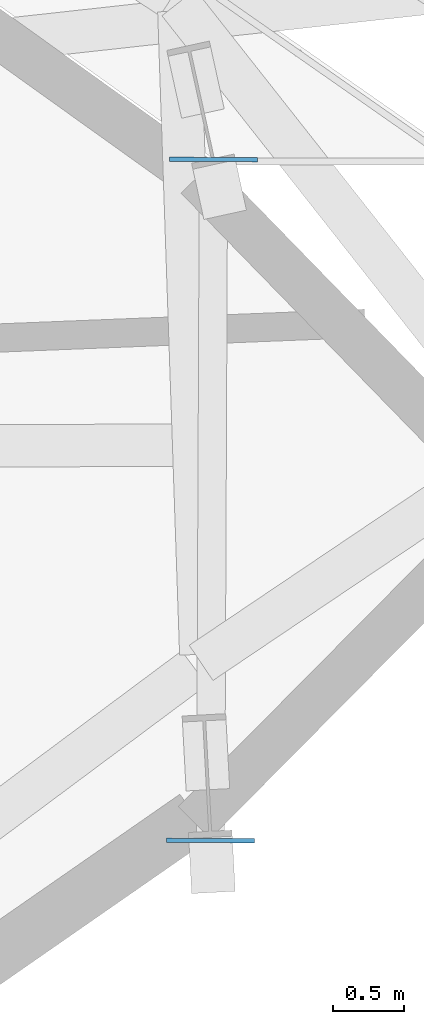
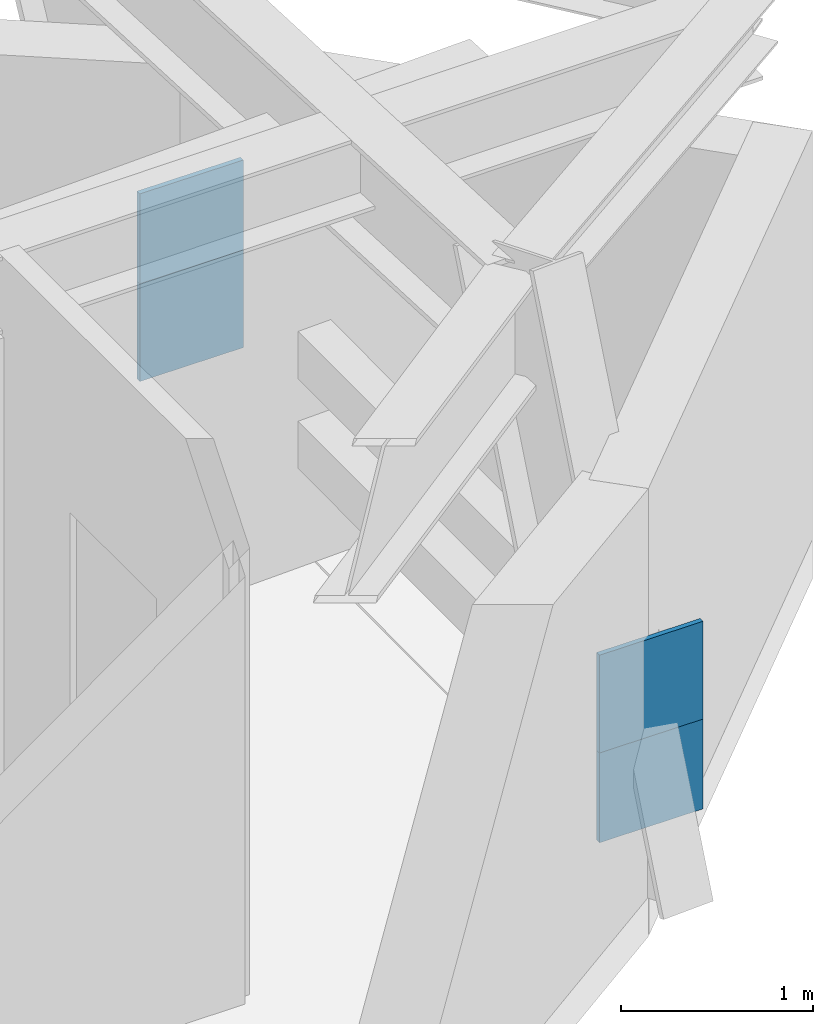
# One storey, part 14 of 21: 4 plates.
"""IFC4 building model written with IfcOpenShell, lengths in metres."""

from ifc_helpers import new_model, si_unit, direction, frame, origin, origin_2d, place, context, subcontext, project, spatial, rectangle, extrude, source, transform, mapped, material, type_object, element, save


model = new_model("IFC4")

# Units and contexts
model_context = context("Model", 3, precision=1e-05, world=origin(), true_north=direction((0.0, 1.0)))
body_context = subcontext(model_context, "Body", "Model", "MODEL_VIEW")
ifc_project = project(units=[si_unit("LENGTHUNIT", "METRE"), si_unit("AREAUNIT", "SQUARE_METRE"), si_unit("VOLUMEUNIT", "CUBIC_METRE"), si_unit("PLANEANGLEUNIT", "RADIAN"), si_unit("MASSUNIT", "GRAM", prefix="KILO")], contexts=[model_context])

# Site, building, storey
site_placement = place(None, origin())
site = spatial("IfcSite", under=ifc_project, at=site_placement, CompositionType="ELEMENT")
building_placement = place(site_placement, origin())
building = spatial("IfcBuilding", under=site, at=building_placement, Name="Olszyna Solenne Hotel", CompositionType="ELEMENT")
storey_placement = place(building_placement, frame((0.0, 0.0, 39.949951171875)))
storey = spatial("IfcBuildingStorey", under=building, at=storey_placement, Name="L09", CompositionType="ELEMENT", Elevation=39.949951171875)

# Plates
ifc_material = material(Name="Steel S460M", Category="steel")
plate_type = type_object("IfcPlateType", Name="GP-CAP2", PredefinedType="USERDEFINED", material=ifc_material)
shared_shape = source(origin(), body_context, "Body", "SweptSolid", [
    extrude(rectangle(XDim=0.030029296875, YDim=0.6201171875, at=origin_2d()), origin(), (0.0, 0.0, 1.0), 0.6201171875),
])
for number, where, z_axis, x_axis, name in (
    (1, (68.93408203125, 24.22998046875, 1.0400390625), (0.0, 0.0, 1.0), (0.004363309285, 0.999990480721, 0.0), "Hollow section end-cap plate GP-CAP2 CP-PR-M-L09-PR1-1"),
    (2, (68.955078125, 29.04443359375, 1.0400390625), (0.0, 0.0, 1.0), (0.004363309285, 0.999990480721, 0.0), "Hollow section end-cap plate GP-CAP2 CP-PR-M-L09-PR1-2"),
    (3, (68.93408203125, 24.22998046875, 0.469970703125), (0.0, 0.0, 1.0), (0.004363309285, 0.999990480721, 0.0), "Hollow section end-cap plate GP-CAP2 CP-PR-M-L09-PR2-1"),
    (4, (68.955078125, 29.04443359375, 0.469970703125), (0.0, 0.0, 1.0), (0.004363309285, 0.999990480721, 0.0), "Hollow section end-cap plate GP-CAP2 CP-PR-M-L09-PR2-2"),
):
    element("IfcPlate", number, at=place(storey_placement, frame(where, z_axis=z_axis, x_axis=x_axis)), inside=storey, type_object=plate_type, Name=name, ObjectType="GUSSET_PLATE", PredefinedType="USERDEFINED", context=body_context, shape_type="MappedRepresentation", body=[
        mapped(shared_shape, transform((0.0, 0.0, 0.0), x_axis=(1.0, 0.0, 0.0), y_axis=(0.0, 1.0, 0.0), z_axis=(0.0, 0.0, 1.0), scale=1.0)),
    ])

save(model, "model.ifc")
